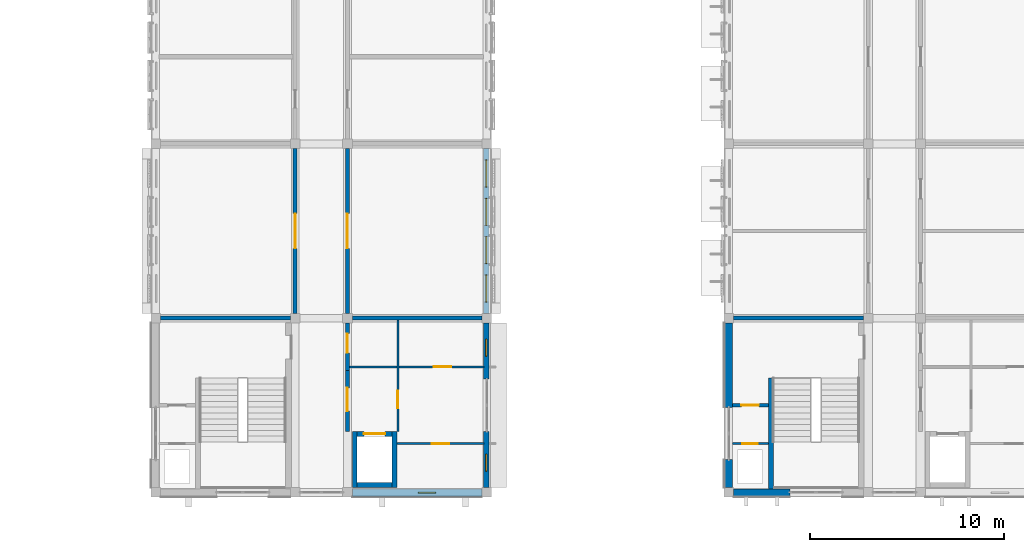
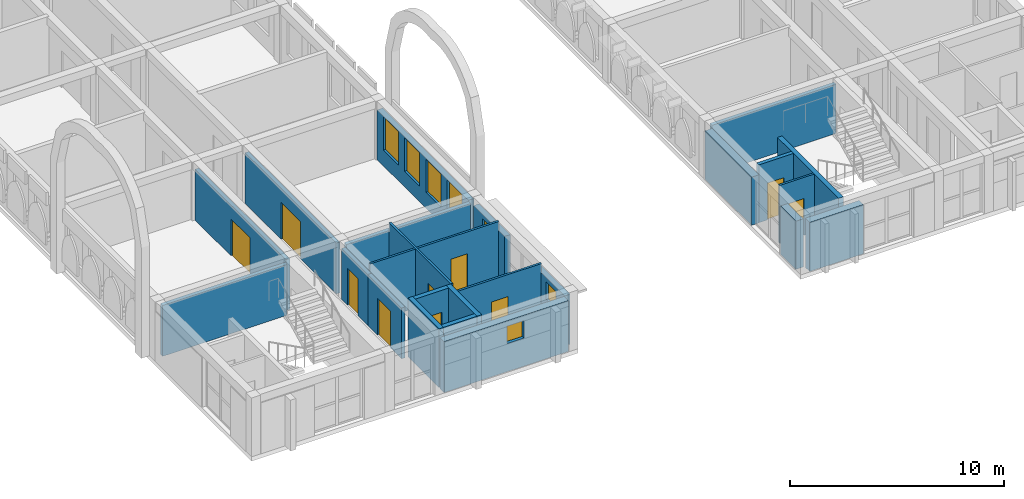
# One storey, part 38 of 65: 24 walls, 10 doors, 7 windows, 17 openings.
"""IFC4 building model written with IfcOpenShell, lengths in metres."""

from ifc_helpers import new_model, si_unit, direction, frame, frame_2d, origin, place, context, subcontext, project, spatial, rectangle, extrude, material, layer, layer_set, type_object, element, fill, save


model = new_model("IFC4")

# Units and contexts
model_context = context("Model", 3, precision=1e-05, world=origin(), true_north=direction((0.0, 1.0)))
body_context = subcontext(model_context, "Body", "Model", "MODEL_VIEW")
ifc_project = project(units=[si_unit("LENGTHUNIT", "METRE"), si_unit("AREAUNIT", "SQUARE_METRE"), si_unit("VOLUMEUNIT", "CUBIC_METRE"), si_unit("PLANEANGLEUNIT", "RADIAN"), si_unit("MASSUNIT", "GRAM", prefix="KILO")], contexts=[model_context])

# Site, building, storey
site_placement = place(None, origin())
site = spatial("IfcSite", under=ifc_project, at=site_placement, CompositionType="ELEMENT")
building_placement = place(site_placement, origin())
building = spatial("IfcBuilding", under=site, at=building_placement, Name="Elbe Cascade School", CompositionType="ELEMENT")
storey_placement = place(building_placement, frame((0.0, 0.0, 11.699951171875)))
storey = spatial("IfcBuildingStorey", under=building, at=storey_placement, Name="L03", CompositionType="ELEMENT", Elevation=11.699951171875)

# Wall, opening, door
ifc_material_1 = material(Name="Masonry - lime-sand block, plastered", Category="masonry")
ifc_layer_1 = layer(ifc_material_1, 0.199951171875)
ifc_layer_set_1 = layer_set([ifc_layer_1], Name="Masonry - lime-sand block, plastered")
wall_type_1 = type_object("IfcWallType", Name="Bar corridor wall lime-sand block 200 EI 30", PredefinedType="PARTITIONING", material=ifc_layer_set_1)
wall_1_placement = place(storey_placement, frame((78.89990234375, 12.300048828125, 0.0), z_axis=(0.0, 0.0, 1.0), x_axis=(0.0, -1.0, 0.0)))
wall_1 = element("IfcWall", 1, at=wall_1_placement, inside=storey, type_object=wall_type_1, Name="Bar corridor wall lime-sand block 200 EI 30", PredefinedType="PARTITIONING", context=body_context, shape_type="SweptSolid", body=[
    extrude(rectangle(XDim=3.150146484375, YDim=0.199951171875, at=frame_2d((1.5751953125, 0.0))), origin(), (0.0, 0.0, 1.0), 2.900146484375),
])
opening_1_placement = place(wall_1_placement, frame((0.89990234375, 0.0, 0.0)))
opening_1 = element("IfcOpeningElement", 2, at=opening_1_placement, cuts=wall_1, Name="Opening D3.005", PredefinedType="OPENING", context=body_context, shape_type="SweptSolid", body=[
    extrude(rectangle(XDim=1.199951171875, YDim=2.10009765625, at=frame_2d((0.60009765625, 1.050048828125))), frame((0.0, 0.10986328125, 0.0), z_axis=(0.0, -1.0, 0.0), x_axis=(1.0, 0.0, 0.0)), (0.0, 0.0, 1.0), 0.219970703125),
])
ifc_material_2 = material(Name="Timber door leaf, fire-resisting and smoke-tight, steel frame", Category="steel")
door_type_1 = type_object("IfcDoorType", Name="Bar door FD30S 1200x2100", OperationType="NOTDEFINED", PredefinedType="DOOR", material=ifc_material_2)
door_1_placement = place(opening_1_placement, origin())
door_1 = element("IfcDoor", 3, at=door_1_placement, inside=storey, type_object=door_type_1, Name="Door A3.06", OperationType="SINGLE_SWING_LEFT", OverallHeight=2.10009765625, OverallWidth=1.199951171875, PredefinedType="DOOR", context=body_context, shape_type="SweptSolid", body=[
    extrude(rectangle(XDim=1.199951171875, YDim=2.10009765625, at=frame_2d((0.60009765625, 1.050048828125))), frame((0.0, 0.02490234375, 0.0), z_axis=(0.0, -1.0, 0.0), x_axis=(1.0, 0.0, 0.0)), (0.0, 0.0, 1.0), 0.050048828125),
])
fill(opening_1, door_1)

wall_2_placement = place(storey_placement, frame((78.89990234375, 12.300048828125, 0.0), z_axis=(0.0, 0.0, 1.0), x_axis=(0.0, 1.0, 0.0)))
wall_2 = element("IfcWall", 4, at=wall_2_placement, inside=storey, type_object=wall_type_1, Name="Bar corridor wall lime-sand block 200 EI 30", PredefinedType="PARTITIONING", context=body_context, shape_type="SweptSolid", body=[
    extrude(rectangle(XDim=2.449951171875, YDim=0.199951171875, at=frame_2d((1.22509765625, 0.0))), origin(), (0.0, 0.0, 1.0), 2.900146484375),
])
opening_2_placement = place(wall_2_placement, frame((0.89990234375, 0.0, 0.0)))
opening_2 = element("IfcOpeningElement", 5, at=opening_2_placement, cuts=wall_2, Name="Opening D3.009", PredefinedType="OPENING", context=body_context, shape_type="SweptSolid", body=[
    extrude(rectangle(XDim=1.0, YDim=2.10009765625, at=frame_2d((0.5, 1.050048828125))), frame((0.0, 0.10986328125, 0.0), z_axis=(0.0, -1.0, 0.0), x_axis=(1.0, 0.0, 0.0)), (0.0, 0.0, 1.0), 0.219970703125),
])
ifc_material_3 = material(Name="Timber door leaf, fire-resisting, steel frame", Category="steel")
door_type_2 = type_object("IfcDoorType", Name="Bar door FD30 1000x2100", OperationType="NOTDEFINED", PredefinedType="DOOR", material=ifc_material_3)
door_2_placement = place(opening_2_placement, origin())
door_2 = element("IfcDoor", 6, at=door_2_placement, inside=storey, type_object=door_type_2, Name="Door A3.10", OperationType="SINGLE_SWING_RIGHT", OverallHeight=2.10009765625, OverallWidth=1.0, PredefinedType="DOOR", context=body_context, shape_type="SweptSolid", body=[
    extrude(rectangle(XDim=1.0, YDim=2.10009765625, at=frame_2d((0.5, 1.050048828125))), frame((0.0, 0.02490234375, 0.0), z_axis=(0.0, -1.0, 0.0), x_axis=(1.0, 0.0, 0.0)), (0.0, 0.0, 1.0), 0.050048828125),
])
fill(opening_2, door_2)

wall_3_placement = place(storey_placement, frame((76.199951171875, 15.25, 0.0), z_axis=(0.0, 0.0, 1.0), x_axis=(0.0, 1.0, 0.0)))
wall_3 = element("IfcWall", 7, at=wall_3_placement, inside=storey, type_object=wall_type_1, Name="Bar corridor wall lime-sand block 200 EI 30", PredefinedType="PARTITIONING", context=body_context, shape_type="SweptSolid", body=[
    extrude(rectangle(XDim=8.5, YDim=0.199951171875, at=frame_2d((4.25, 0.0))), origin(), (0.0, 0.0, 1.0), 2.900146484375),
])
opening_3_placement = place(wall_3_placement, frame((3.35009765625, 0.0, 0.0)))
opening_3 = element("IfcOpeningElement", 8, at=opening_3_placement, cuts=wall_3, Name="Opening D3.010", PredefinedType="OPENING", context=body_context, shape_type="SweptSolid", body=[
    extrude(rectangle(XDim=1.800048828125, YDim=2.10009765625, at=frame_2d((0.89990234375, 1.050048828125))), frame((0.0, 0.10986328125, 0.0), z_axis=(0.0, -1.0, 0.0), x_axis=(1.0, 0.0, 0.0)), (0.0, 0.0, 1.0), 0.219970703125),
])
ifc_material_4 = material(Name="Timber door leaves, fire-resisting, steel frame", Category="steel")
door_type_3 = type_object("IfcDoorType", Name="Bar door FD30 1800x2100", OperationType="NOTDEFINED", PredefinedType="DOOR", material=ifc_material_4)
door_3_placement = place(opening_3_placement, origin())
door_3 = element("IfcDoor", 9, at=door_3_placement, inside=storey, type_object=door_type_3, Name="Door A3.20", OperationType="DOUBLE_DOOR_DOUBLE_SWING", OverallHeight=2.10009765625, OverallWidth=1.800048828125, PredefinedType="DOOR", context=body_context, shape_type="SweptSolid", body=[
    extrude(rectangle(XDim=1.800048828125, YDim=2.10009765625, at=frame_2d((0.89990234375, 1.050048828125))), frame((0.0, 0.02490234375, 0.0), z_axis=(0.0, -1.0, 0.0), x_axis=(1.0, 0.0, 0.0)), (0.0, 0.0, 1.0), 0.050048828125),
])
fill(opening_3, door_3)

wall_4_placement = place(storey_placement, frame((78.89990234375, 23.75, 0.0), z_axis=(0.0, 0.0, 1.0), x_axis=(0.0, -1.0, 0.0)))
wall_4 = element("IfcWall", 10, at=wall_4_placement, inside=storey, type_object=wall_type_1, Name="Bar corridor wall lime-sand block 200 EI 30", PredefinedType="PARTITIONING", context=body_context, shape_type="SweptSolid", body=[
    extrude(rectangle(XDim=8.5, YDim=0.199951171875, at=frame_2d((4.25, 0.0))), origin(), (0.0, 0.0, 1.0), 2.900146484375),
])
opening_4_placement = place(wall_4_placement, frame((3.35009765625, 0.0, 0.0)))
opening_4 = element("IfcOpeningElement", 11, at=opening_4_placement, cuts=wall_4, Name="Opening D3.011", PredefinedType="OPENING", context=body_context, shape_type="SweptSolid", body=[
    extrude(rectangle(XDim=1.800048828125, YDim=2.10009765625, at=frame_2d((0.89990234375, 1.050048828125))), frame((0.0, 0.10986328125, 0.0), z_axis=(0.0, -1.0, 0.0), x_axis=(1.0, 0.0, 0.0)), (0.0, 0.0, 1.0), 0.219970703125),
])
door_4_placement = place(opening_4_placement, origin())
door_4 = element("IfcDoor", 12, at=door_4_placement, inside=storey, type_object=door_type_3, Name="Door A3.25", OperationType="DOUBLE_DOOR_DOUBLE_SWING", OverallHeight=2.10009765625, OverallWidth=1.800048828125, PredefinedType="DOOR", context=body_context, shape_type="SweptSolid", body=[
    extrude(rectangle(XDim=1.800048828125, YDim=2.10009765625, at=frame_2d((0.89990234375, 1.050048828125))), frame((0.0, 0.02490234375, 0.0), z_axis=(0.0, -1.0, 0.0), x_axis=(1.0, 0.0, 0.0)), (0.0, 0.0, 1.0), 0.050048828125),
])
fill(opening_4, door_4)

ifc_material_5 = material(Name="Masonry - lime-sand block, plastered", Category="masonry")
ifc_layer_2 = layer(ifc_material_5, 0.114990234375)
ifc_layer_set_2 = layer_set([ifc_layer_2], Name="Masonry - lime-sand block, plastered")
wall_type_2 = type_object("IfcWallType", Name="Bar light partition wall lime-sand block 115", PredefinedType="PARTITIONING", material=ifc_layer_set_2)
wall_5_placement = place(storey_placement, frame((81.507568359375, 14.89990234375, 0.0), z_axis=(0.0, 0.0, 1.0), x_axis=(0.0, -1.0, 0.0)))
wall_5 = element("IfcWall", 13, at=wall_5_placement, inside=storey, type_object=wall_type_2, Name="Bar light partition wall lime-sand block 115", PredefinedType="PARTITIONING", context=body_context, shape_type="SweptSolid", body=[
    extrude(rectangle(XDim=5.75, YDim=0.114990234375, at=frame_2d((2.875, 0.0))), origin(), (0.0, 0.0, 1.0), 3.35009765625),
])
opening_5_placement = place(wall_5_placement, frame((3.64990234375, 0.0, 0.0)))
opening_5 = element("IfcOpeningElement", 14, at=opening_5_placement, cuts=wall_5, Name="Opening D3.006", PredefinedType="OPENING", context=body_context, shape_type="SweptSolid", body=[
    extrude(rectangle(XDim=0.89990234375, YDim=2.10009765625, at=frame_2d((0.449951171875, 1.050048828125))), frame((0.0, 0.0673828125, 0.0), z_axis=(0.0, -1.0, 0.0), x_axis=(1.0, 0.0, 0.0)), (0.0, 0.0, 1.0), 0.135009765625),
])
ifc_material_6 = material(Name="Timber door leaf, steel frame", Category="steel")
door_type_4 = type_object("IfcDoorType", Name="Bar door 900x2100", OperationType="NOTDEFINED", PredefinedType="DOOR", material=ifc_material_6)
door_5_placement = place(opening_5_placement, origin())
door_5 = element("IfcDoor", 15, at=door_5_placement, inside=storey, type_object=door_type_4, Name="Door A3.07", OperationType="SINGLE_SWING_LEFT", OverallHeight=2.10009765625, OverallWidth=0.89990234375, PredefinedType="DOOR", context=body_context, shape_type="SweptSolid", body=[
    extrude(rectangle(XDim=0.89990234375, YDim=2.10009765625, at=frame_2d((0.449951171875, 1.050048828125))), frame((0.0, 0.02490234375, 0.0), z_axis=(0.0, -1.0, 0.0), x_axis=(1.0, 0.0, 0.0)), (0.0, 0.0, 1.0), 0.050048828125),
])
fill(opening_5, door_5)

wall_6_placement = place(storey_placement, frame((85.949951171875, 8.52001953125, 0.0), z_axis=(0.0, 0.0, 1.0), x_axis=(-1.0, 0.0, 0.0)))
wall_6 = element("IfcWall", 16, at=wall_6_placement, inside=storey, type_object=wall_type_2, Name="Bar light partition wall lime-sand block 115", PredefinedType="PARTITIONING", context=body_context, shape_type="SweptSolid", body=[
    extrude(rectangle(XDim=4.5, YDim=0.114990234375, at=frame_2d((2.25, 0.0))), origin(), (0.0, 0.0, 1.0), 3.35009765625),
])
opening_6_placement = place(wall_6_placement, frame((1.800048828125, 0.0, 0.0)))
opening_6 = element("IfcOpeningElement", 17, at=opening_6_placement, cuts=wall_6, Name="Opening D3.002", PredefinedType="OPENING", context=body_context, shape_type="SweptSolid", body=[
    extrude(rectangle(XDim=0.89990234375, YDim=2.10009765625, at=frame_2d((0.449951171875, 1.050048828125))), frame((0.0, 0.0673828125, 0.0), z_axis=(0.0, -1.0, 0.0), x_axis=(1.0, 0.0, 0.0)), (0.0, 0.0, 1.0), 0.135009765625),
])
door_6_placement = place(opening_6_placement, origin())
door_6 = element("IfcDoor", 18, at=door_6_placement, inside=storey, type_object=door_type_4, Name="Door A3.08", OperationType="SINGLE_SWING_LEFT", OverallHeight=2.10009765625, OverallWidth=0.89990234375, PredefinedType="DOOR", context=body_context, shape_type="SweptSolid", body=[
    extrude(rectangle(XDim=0.89990234375, YDim=2.10009765625, at=frame_2d((0.449951171875, 1.050048828125))), frame((0.0, 0.02490234375, 0.0), z_axis=(0.0, -1.0, 0.0), x_axis=(1.0, 0.0, 0.0)), (0.0, 0.0, 1.0), 0.050048828125),
])
fill(opening_6, door_6)

wall_7_placement = place(storey_placement, frame((79.0, 12.47998046875, 0.0), z_axis=(0.0, 0.0, 1.0), x_axis=(1.0, 0.0, 0.0)))
wall_7 = element("IfcWall", 19, at=wall_7_placement, inside=storey, type_object=wall_type_2, Name="Bar light partition wall lime-sand block 115", PredefinedType="PARTITIONING", context=body_context, shape_type="SweptSolid", body=[
    extrude(rectangle(XDim=6.949951171875, YDim=0.114990234375, at=frame_2d((3.47509765625, 0.0))), origin(), (0.0, 0.0, 1.0), 3.35009765625),
])
opening_7_placement = place(wall_7_placement, frame((4.35009765625, 0.0, 0.0)))
opening_7 = element("IfcOpeningElement", 20, at=opening_7_placement, cuts=wall_7, Name="Opening D3.007", PredefinedType="OPENING", context=body_context, shape_type="SweptSolid", body=[
    extrude(rectangle(XDim=0.89990234375, YDim=2.10009765625, at=frame_2d((0.449951171875, 1.050048828125))), frame((0.0, 0.0673828125, 0.0), z_axis=(0.0, -1.0, 0.0), x_axis=(1.0, 0.0, 0.0)), (0.0, 0.0, 1.0), 0.135009765625),
])
door_7_placement = place(opening_7_placement, origin())
door_7 = element("IfcDoor", 21, at=door_7_placement, inside=storey, type_object=door_type_4, Name="Door A3.09", OperationType="SINGLE_SWING_RIGHT", OverallHeight=2.10009765625, OverallWidth=0.89990234375, PredefinedType="DOOR", context=body_context, shape_type="SweptSolid", body=[
    extrude(rectangle(XDim=0.89990234375, YDim=2.10009765625, at=frame_2d((0.449951171875, 1.050048828125))), frame((0.0, 0.02490234375, 0.0), z_axis=(0.0, -1.0, 0.0), x_axis=(1.0, 0.0, 0.0)), (0.0, 0.0, 1.0), 0.050048828125),
])
fill(opening_7, door_7)

wall_8_placement = place(storey_placement, frame((100.64990234375, 8.52001953125, 0.0), z_axis=(0.0, 0.0, 1.0), x_axis=(-1.0, 0.0, 0.0)))
wall_8 = element("IfcWall", 22, at=wall_8_placement, inside=storey, type_object=wall_type_2, Name="Bar light partition wall lime-sand block 115", PredefinedType="PARTITIONING", context=body_context, shape_type="SweptSolid", body=[
    extrude(rectangle(XDim=1.869873046875, YDim=0.114990234375, at=frame_2d((0.93505859375, 0.0))), origin(), (0.0, 0.0, 1.0), 3.300048828125),
])
opening_8_placement = place(wall_8_placement, frame((0.550048828125, 0.0, 0.0)))
opening_8 = element("IfcOpeningElement", 23, at=opening_8_placement, cuts=wall_8, Name="Opening D3.029", PredefinedType="OPENING", context=body_context, shape_type="SweptSolid", body=[
    extrude(rectangle(XDim=0.800048828125, YDim=2.10009765625, at=frame_2d((0.39990234375, 1.050048828125))), frame((0.0, 0.0673828125, 0.0), z_axis=(0.0, -1.0, 0.0), x_axis=(1.0, 0.0, 0.0)), (0.0, 0.0, 1.0), 0.135009765625),
])
ifc_material_7 = material(Name="Timber door leaf, steel frame", Category="steel")
door_type_5 = type_object("IfcDoorType", Name="Bar door 800x2100", OperationType="NOTDEFINED", PredefinedType="DOOR", material=ifc_material_7)
door_8_placement = place(opening_8_placement, origin())
door_8 = element("IfcDoor", 24, at=door_8_placement, inside=storey, type_object=door_type_5, Name="Door B3.05", OperationType="SINGLE_SWING_LEFT", OverallHeight=2.10009765625, OverallWidth=0.800048828125, PredefinedType="DOOR", context=body_context, shape_type="SweptSolid", body=[
    extrude(rectangle(XDim=0.800048828125, YDim=2.10009765625, at=frame_2d((0.39990234375, 1.050048828125))), frame((0.0, 0.02490234375, 0.0), z_axis=(0.0, -1.0, 0.0), x_axis=(1.0, 0.0, 0.0)), (0.0, 0.0, 1.0), 0.050048828125),
])
fill(opening_8, door_8)

# Walls
ifc_material_8 = material(Name="Masonry - lime-sand block, plastered", Category="masonry")
ifc_layer_3 = layer(ifc_material_8, 0.199951171875)
ifc_layer_set_3 = layer_set([ifc_layer_3], Name="Masonry - lime-sand block, plastered")
wall_type_3 = type_object("IfcWallType", Name="Bar partition wall lime-sand block 200", PredefinedType="PARTITIONING", material=ifc_layer_set_3)
wall_9_placement = place(storey_placement, frame((79.14990234375, 15.0, 0.0), z_axis=(0.0, 0.0, 1.0), x_axis=(1.0, 0.0, 0.0)))
element("IfcWall", 25, at=wall_9_placement, inside=storey, type_object=wall_type_3, Name="Bar partition wall lime-sand block 200", PredefinedType="PARTITIONING", context=body_context, shape_type="SweptSolid", body=[
    extrude(rectangle(XDim=6.7001953125, YDim=0.199951171875, at=frame_2d((3.35009765625, 0.0))), origin(), (0.0, 0.0, 1.0), 2.900146484375),
])
ifc_material_9 = material(Name="Concrete C30/37", Category="concrete")
ifc_layer_4 = layer(ifc_material_9, 0.25)
ifc_layer_set_4 = layer_set([ifc_layer_4], Name="Concrete C30/37")
wall_type_4 = type_object("IfcWallType", Name="Bar stair core wall RC 250", PredefinedType="SOLIDWALL", material=ifc_layer_set_4)
wall_10_placement = place(storey_placement, frame((100.77490234375, 6.179931640625, 0.0), z_axis=(0.0, 0.0, 1.0), x_axis=(0.0, 1.0, 0.0)))
element("IfcWall", 26, at=wall_10_placement, inside=storey, type_object=wall_type_4, Name="Bar stair core wall RC 250", PredefinedType="SOLIDWALL", context=body_context, shape_type="SweptSolid", body=[
    extrude(rectangle(XDim=5.719970703125, YDim=0.25, at=frame_2d((2.85986328125, 0.0))), origin(), (0.0, 0.0, 1.0), 3.300048828125),
])
ifc_material_10 = material(Name="Concrete C30/37", Category="concrete")
ifc_layer_5 = layer(ifc_material_10, 0.199951171875)
ifc_layer_set_5 = layer_set([ifc_layer_5], Name="Concrete C30/37")
wall_type_5 = type_object("IfcWallType", Name="Bar stair lobby wall RC 200", PredefinedType="SOLIDWALL", material=ifc_layer_set_5)
wall_11_placement = place(storey_placement, frame((69.25, 15.0, 0.0), z_axis=(0.0, 0.0, 1.0), x_axis=(1.0, 0.0, 0.0)))
element("IfcWall", 27, at=wall_11_placement, inside=storey, type_object=wall_type_5, Name="Bar stair lobby wall RC 200", PredefinedType="SOLIDWALL", context=body_context, shape_type="SweptSolid", body=[
    extrude(rectangle(XDim=6.699951171875, YDim=0.199951171875, at=frame_2d((3.35009765625, 0.0))), origin(), (0.0, 0.0, 1.0), 2.900146484375),
])

# Wall, opening, door
wall_12_placement = place(storey_placement, frame((100.64990234375, 10.5, 0.0), z_axis=(0.0, 0.0, 1.0), x_axis=(-1.0, 0.0, 0.0)))
wall_12 = element("IfcWall", 28, at=wall_12_placement, inside=storey, type_object=wall_type_5, Name="Bar stair lobby wall RC 200", PredefinedType="SOLIDWALL", context=body_context, shape_type="SweptSolid", body=[
    extrude(rectangle(XDim=1.869873046875, YDim=0.199951171875, at=frame_2d((0.93505859375, 0.0))), origin(), (0.0, 0.0, 1.0), 3.300048828125),
])
opening_9_placement = place(wall_12_placement, frame((0.5, 0.0, 0.0)))
opening_9 = element("IfcOpeningElement", 29, at=opening_9_placement, cuts=wall_12, Name="Opening D3.032", PredefinedType="OPENING", context=body_context, shape_type="SweptSolid", body=[
    extrude(rectangle(XDim=0.89990234375, YDim=2.10009765625, at=frame_2d((0.449951171875, 1.050048828125))), frame((0.0, 0.10986328125, 0.0), z_axis=(0.0, -1.0, 0.0), x_axis=(1.0, 0.0, 0.0)), (0.0, 0.0, 1.0), 0.219970703125),
])
ifc_material_11 = material(Name="Timber door leaf, fire-resisting and smoke-tight, steel frame", Category="steel")
door_type_6 = type_object("IfcDoorType", Name="Bar door FD30S 900x2100", OperationType="NOTDEFINED", PredefinedType="DOOR", material=ifc_material_11)
door_9_placement = place(opening_9_placement, origin())
door_9 = element("IfcDoor", 30, at=door_9_placement, inside=storey, type_object=door_type_6, Name="Door B3.04", OperationType="SINGLE_SWING_RIGHT", OverallHeight=2.10009765625, OverallWidth=0.89990234375, PredefinedType="DOOR", context=body_context, shape_type="SweptSolid", body=[
    extrude(rectangle(XDim=0.89990234375, YDim=2.10009765625, at=frame_2d((0.449951171875, 1.050048828125))), frame((0.0, 0.02490234375, 0.0), z_axis=(0.0, -1.0, 0.0), x_axis=(1.0, 0.0, 0.0)), (0.0, 0.0, 1.0), 0.050048828125),
])
fill(opening_9, door_9)

# Wall
wall_13_placement = place(storey_placement, frame((98.85009765625, 15.0, 0.0), z_axis=(0.0, 0.0, 1.0), x_axis=(1.0, 0.0, 0.0)))
element("IfcWall", 31, at=wall_13_placement, inside=storey, type_object=wall_type_5, Name="Bar stair lobby wall RC 200", PredefinedType="SOLIDWALL", context=body_context, shape_type="SweptSolid", body=[
    extrude(rectangle(XDim=6.699951171875, YDim=0.199951171875, at=frame_2d((3.35009765625, 0.0))), origin(), (0.0, 0.0, 1.0), 2.800048828125),
])

# Wall, opening, window
ifc_material_12 = material(Name="Brick masonry - red clinker, cavity wall with render backing", Category="masonry")
ifc_layer_6 = layer(ifc_material_12, 0.300048828125)
ifc_layer_set_6 = layer_set([ifc_layer_6], Name="Brick masonry - red clinker, cavity wall with render backing")
wall_type_6 = type_object("IfcWallType", Name="Bars envelope External wall - clinker brick cavity, 300 upper floors", PredefinedType="STANDARD", material=ifc_layer_set_6)
wall_14_placement = place(storey_placement, frame((86.070068359375, 9.14990234375, 0.0), z_axis=(0.0, 0.0, 1.0), x_axis=(0.0, -1.0, 0.0)))
wall_14 = element("IfcWall", 32, at=wall_14_placement, inside=storey, type_object=wall_type_6, Name="External wall W30 A.L03.e1a", PredefinedType="STANDARD", context=body_context, shape_type="SweptSolid", body=[
    extrude(rectangle(XDim=2.89990234375, YDim=0.300048828125, at=frame_2d((1.449951171875, 0.0))), origin(), (0.0, 0.0, 1.0), 2.85009765625),
])
opening_10_placement = place(wall_14_placement, frame((1.169921875, 0.0, 1.60009765625)))
opening_10 = element("IfcOpeningElement", 33, at=opening_10_placement, cuts=wall_14, Name="Opening W3.002", PredefinedType="OPENING", context=body_context, shape_type="SweptSolid", body=[
    extrude(rectangle(XDim=0.89990234375, YDim=1.0, at=frame_2d((0.449951171875, 0.5))), frame((0.0, 0.159912109375, 0.0), z_axis=(0.0, -1.0, 0.0), x_axis=(1.0, 0.0, 0.0)), (0.0, 0.0, 1.0), 0.320068359375),
])
ifc_material_13 = material(Name="Aluminium frame with double glazing, bronze anodised", Category="aluminium")
window_type_1 = type_object("IfcWindowType", Name="Bars envelope Window 900 x 1000, WC and service room, high level, aluminium double glazed", PartitioningType="SINGLE_PANEL", PredefinedType="WINDOW", material=ifc_material_13)
window_1_placement = place(opening_10_placement, origin())
window_1 = element("IfcWindow", 34, at=window_1_placement, inside=storey, type_object=window_type_1, Name="Window WN4 A.L03.e1a.1", OverallHeight=1.0, OverallWidth=0.89990234375, PartitioningType="SINGLE_PANEL", PredefinedType="WINDOW", context=body_context, shape_type="SweptSolid", body=[
    extrude(rectangle(XDim=0.89990234375, YDim=1.0, at=frame_2d((0.449951171875, 0.5))), frame((0.0, 0.030029296875, 0.0), z_axis=(0.0, -1.0, 0.0), x_axis=(1.0, 0.0, 0.0)), (0.0, 0.0, 1.0), 0.06005859375),
])
fill(opening_10, window_1)

wall_15_placement = place(storey_placement, frame((86.070068359375, 14.75, 0.0), z_axis=(0.0, 0.0, 1.0), x_axis=(0.0, -1.0, 0.0)))
wall_15 = element("IfcWall", 35, at=wall_15_placement, inside=storey, type_object=wall_type_6, Name="External wall W30 A.L03.e1b", PredefinedType="STANDARD", context=body_context, shape_type="SweptSolid", body=[
    extrude(rectangle(XDim=2.89990234375, YDim=0.300048828125, at=frame_2d((1.449951171875, 0.0))), origin(), (0.0, 0.0, 1.0), 2.85009765625),
])
opening_11_placement = place(wall_15_placement, frame((0.830078125, 0.0, 1.60009765625)))
opening_11 = element("IfcOpeningElement", 36, at=opening_11_placement, cuts=wall_15, Name="Opening W3.003", PredefinedType="OPENING", context=body_context, shape_type="SweptSolid", body=[
    extrude(rectangle(XDim=0.89990234375, YDim=1.0, at=frame_2d((0.449951171875, 0.5))), frame((0.0, 0.159912109375, 0.0), z_axis=(0.0, -1.0, 0.0), x_axis=(1.0, 0.0, 0.0)), (0.0, 0.0, 1.0), 0.320068359375),
])
window_2_placement = place(opening_11_placement, origin())
window_2 = element("IfcWindow", 37, at=window_2_placement, inside=storey, type_object=window_type_1, Name="Window WN4 A.L03.e1b.1", OverallHeight=1.0, OverallWidth=0.89990234375, PartitioningType="SINGLE_PANEL", PredefinedType="WINDOW", context=body_context, shape_type="SweptSolid", body=[
    extrude(rectangle(XDim=0.89990234375, YDim=1.0, at=frame_2d((0.449951171875, 0.5))), frame((0.0, 0.030029296875, 0.0), z_axis=(0.0, -1.0, 0.0), x_axis=(1.0, 0.0, 0.0)), (0.0, 0.0, 1.0), 0.06005859375),
])
fill(opening_11, window_2)

# Wall, openings, windows
wall_16_placement = place(storey_placement, frame((86.070068359375, 23.75, 0.0), z_axis=(0.0, 0.0, 1.0), x_axis=(0.0, -1.0, 0.0)))
wall_16 = element("IfcWall", 38, at=wall_16_placement, inside=storey, type_object=wall_type_6, Name="External wall W30 A.L03.e2", PredefinedType="STANDARD", context=body_context, shape_type="SweptSolid", body=[
    extrude(rectangle(XDim=8.5, YDim=0.300048828125, at=frame_2d((4.25, 0.0))), origin(), (0.0, 0.0, 1.0), 2.85009765625),
])
opening_12_placement = place(wall_16_placement, frame((6.52001953125, 0.0, 0.89990234375)))
opening_12 = element("IfcOpeningElement", 39, at=opening_12_placement, cuts=wall_16, Name="Opening W3.005", PredefinedType="OPENING", context=body_context, shape_type="SweptSolid", body=[
    extrude(rectangle(XDim=1.39990234375, YDim=1.89990234375, at=frame_2d((0.699951171875, 0.949951171875))), frame((0.0, 0.159912109375, 0.0), z_axis=(0.0, -1.0, 0.0), x_axis=(1.0, 0.0, 0.0)), (0.0, 0.0, 1.0), 0.320068359375),
])
opening_13_placement = place(wall_16_placement, frame((4.5400390625, 0.0, 0.89990234375)))
opening_13 = element("IfcOpeningElement", 40, at=opening_13_placement, cuts=wall_16, Name="Opening W3.007", PredefinedType="OPENING", context=body_context, shape_type="SweptSolid", body=[
    extrude(rectangle(XDim=1.39990234375, YDim=1.89990234375, at=frame_2d((0.699951171875, 0.949951171875))), frame((0.0, 0.159912109375, 0.0), z_axis=(0.0, -1.0, 0.0), x_axis=(1.0, 0.0, 0.0)), (0.0, 0.0, 1.0), 0.320068359375),
])
opening_14_placement = place(wall_16_placement, frame((2.56005859375, 0.0, 0.89990234375)))
opening_14 = element("IfcOpeningElement", 41, at=opening_14_placement, cuts=wall_16, Name="Opening W3.009", PredefinedType="OPENING", context=body_context, shape_type="SweptSolid", body=[
    extrude(rectangle(XDim=1.39990234375, YDim=1.89990234375, at=frame_2d((0.699951171875, 0.949951171875))), frame((0.0, 0.159912109375, 0.0), z_axis=(0.0, -1.0, 0.0), x_axis=(1.0, 0.0, 0.0)), (0.0, 0.0, 1.0), 0.320068359375),
])
opening_15_placement = place(wall_16_placement, frame((0.580078125, 0.0, 0.89990234375)))
opening_15 = element("IfcOpeningElement", 42, at=opening_15_placement, cuts=wall_16, Name="Opening W3.011", PredefinedType="OPENING", context=body_context, shape_type="SweptSolid", body=[
    extrude(rectangle(XDim=1.39990234375, YDim=1.89990234375, at=frame_2d((0.699951171875, 0.949951171875))), frame((0.0, 0.159912109375, 0.0), z_axis=(0.0, -1.0, 0.0), x_axis=(1.0, 0.0, 0.0)), (0.0, 0.0, 1.0), 0.320068359375),
])
ifc_material_14 = material(Name="Aluminium frame with double glazing, bronze anodised", Category="aluminium")
window_type_2 = type_object("IfcWindowType", Name="Bars envelope Window 1400 x 1900, laboratory and office, bench height sill, aluminium double glazed", PartitioningType="DOUBLE_PANEL_VERTICAL", PredefinedType="WINDOW", material=ifc_material_14)
window_3_placement = place(opening_12_placement, origin())
window_3 = element("IfcWindow", 43, at=window_3_placement, inside=storey, type_object=window_type_2, Name="Window WN6 A.L03.e2.1", OverallHeight=1.89990234375, OverallWidth=1.39990234375, PartitioningType="DOUBLE_PANEL_VERTICAL", PredefinedType="WINDOW", context=body_context, shape_type="SweptSolid", body=[
    extrude(rectangle(XDim=1.39990234375, YDim=1.89990234375, at=frame_2d((0.699951171875, 0.949951171875))), frame((0.0, 0.030029296875, 0.0), z_axis=(0.0, -1.0, 0.0), x_axis=(1.0, 0.0, 0.0)), (0.0, 0.0, 1.0), 0.06005859375),
])
fill(opening_12, window_3)
window_4_placement = place(opening_13_placement, origin())
window_4 = element("IfcWindow", 44, at=window_4_placement, inside=storey, type_object=window_type_2, Name="Window WN6 A.L03.e2.2", OverallHeight=1.89990234375, OverallWidth=1.39990234375, PartitioningType="DOUBLE_PANEL_VERTICAL", PredefinedType="WINDOW", context=body_context, shape_type="SweptSolid", body=[
    extrude(rectangle(XDim=1.39990234375, YDim=1.89990234375, at=frame_2d((0.699951171875, 0.949951171875))), frame((0.0, 0.030029296875, 0.0), z_axis=(0.0, -1.0, 0.0), x_axis=(1.0, 0.0, 0.0)), (0.0, 0.0, 1.0), 0.06005859375),
])
fill(opening_13, window_4)
window_5_placement = place(opening_14_placement, origin())
window_5 = element("IfcWindow", 45, at=window_5_placement, inside=storey, type_object=window_type_2, Name="Window WN6 A.L03.e2.3", OverallHeight=1.89990234375, OverallWidth=1.39990234375, PartitioningType="DOUBLE_PANEL_VERTICAL", PredefinedType="WINDOW", context=body_context, shape_type="SweptSolid", body=[
    extrude(rectangle(XDim=1.39990234375, YDim=1.89990234375, at=frame_2d((0.699951171875, 0.949951171875))), frame((0.0, 0.030029296875, 0.0), z_axis=(0.0, -1.0, 0.0), x_axis=(1.0, 0.0, 0.0)), (0.0, 0.0, 1.0), 0.06005859375),
])
fill(opening_14, window_5)
window_6_placement = place(opening_15_placement, origin())
window_6 = element("IfcWindow", 46, at=window_6_placement, inside=storey, type_object=window_type_2, Name="Window WN6 A.L03.e2.4", OverallHeight=1.89990234375, OverallWidth=1.39990234375, PartitioningType="DOUBLE_PANEL_VERTICAL", PredefinedType="WINDOW", context=body_context, shape_type="SweptSolid", body=[
    extrude(rectangle(XDim=1.39990234375, YDim=1.89990234375, at=frame_2d((0.699951171875, 0.949951171875))), frame((0.0, 0.030029296875, 0.0), z_axis=(0.0, -1.0, 0.0), x_axis=(1.0, 0.0, 0.0)), (0.0, 0.0, 1.0), 0.06005859375),
])
fill(opening_15, window_6)

# Wall, opening, window
ifc_material_15 = material(Name="Brick masonry - red clinker, solid, sandstone-faced", Category="masonry")
ifc_layer_7 = layer(ifc_material_15, 0.39990234375)
ifc_layer_set_7 = layer_set([ifc_layer_7], Name="Brick masonry - red clinker, solid, sandstone-faced")
wall_type_7 = type_object("IfcWallType", Name="Bars envelope External wall - solid masonry core strip, sandstone faced, 400", PredefinedType="STANDARD", material=ifc_layer_set_7)
wall_17_placement = place(storey_placement, frame((85.85009765625, 5.97998046875, 0.0), z_axis=(0.0, 0.0, 1.0), x_axis=(-1.0, 0.0, 0.0)))
wall_17 = element("IfcWall", 47, at=wall_17_placement, inside=storey, type_object=wall_type_7, Name="External wall W31 A.L03.s3", PredefinedType="STANDARD", context=body_context, shape_type="SweptSolid", body=[
    extrude(rectangle(XDim=6.7001953125, YDim=0.39990234375, at=frame_2d((3.35009765625, 0.0))), origin(), (0.0, 0.0, 1.0), 2.900146484375),
])
opening_16_placement = place(wall_17_placement, frame((2.39990234375, 0.0, 1.60009765625)))
opening_16 = element("IfcOpeningElement", 48, at=opening_16_placement, cuts=wall_17, Name="Opening W3.001", PredefinedType="OPENING", context=body_context, shape_type="SweptSolid", body=[
    extrude(rectangle(XDim=0.89990234375, YDim=1.0, at=frame_2d((0.449951171875, 0.5))), frame((0.0, 0.2099609375, 0.0), z_axis=(0.0, -1.0, 0.0), x_axis=(1.0, 0.0, 0.0)), (0.0, 0.0, 1.0), 0.419921875),
])
window_7_placement = place(opening_16_placement, origin())
window_7 = element("IfcWindow", 49, at=window_7_placement, inside=storey, type_object=window_type_1, Name="Window WN4 A.L03.s3.1", OverallHeight=1.0, OverallWidth=0.89990234375, PartitioningType="SINGLE_PANEL", PredefinedType="WINDOW", context=body_context, shape_type="SweptSolid", body=[
    extrude(rectangle(XDim=0.89990234375, YDim=1.0, at=frame_2d((0.449951171875, 0.5))), frame((0.0, 0.030029296875, 0.0), z_axis=(0.0, -1.0, 0.0), x_axis=(1.0, 0.0, 0.0)), (0.0, 0.0, 1.0), 0.06005859375),
])
fill(opening_16, window_7)

# Walls
wall_18_placement = place(storey_placement, frame((98.580078125, 6.25, 0.0), z_axis=(0.0, 0.0, 1.0), x_axis=(0.0, 1.0, 0.0)))
element("IfcWall", 50, at=wall_18_placement, inside=storey, type_object=wall_type_7, Name="External wall W31 B.L03.w1a", PredefinedType="STANDARD", context=body_context, shape_type="SweptSolid", body=[
    extrude(rectangle(XDim=1.43994140625, YDim=0.39990234375, at=frame_2d((0.719970703125, 0.0))), origin(), (0.0, 0.0, 1.0), 2.75),
])
wall_19_placement = place(storey_placement, frame((98.580078125, 10.389892578125, 0.0), z_axis=(0.0, 0.0, 1.0), x_axis=(0.0, 1.0, 0.0)))
element("IfcWall", 51, at=wall_19_placement, inside=storey, type_object=wall_type_7, Name="External wall W31 B.L03.w1b", PredefinedType="STANDARD", context=body_context, shape_type="SweptSolid", body=[
    extrude(rectangle(XDim=4.360107421875, YDim=0.39990234375, at=frame_2d((2.18017578125, 0.0))), origin(), (0.0, 0.0, 1.0), 2.75),
])
wall_20_placement = place(storey_placement, frame((101.75, 5.97998046875, 0.0), z_axis=(0.0, 0.0, 1.0), x_axis=(-1.0, 0.0, 0.0)))
element("IfcWall", 52, at=wall_20_placement, inside=storey, type_object=wall_type_7, Name="External wall W31 B.L03.s1a", PredefinedType="STANDARD", context=body_context, shape_type="SweptSolid", body=[
    extrude(rectangle(XDim=2.89990234375, YDim=0.39990234375, at=frame_2d((1.449951171875, 0.0))), origin(), (0.0, 0.0, 1.0), 2.800048828125),
])
ifc_material_16 = material(Name="Concrete C30/37", Category="concrete")
ifc_layer_8 = layer(ifc_material_16, 0.25)
ifc_layer_set_8 = layer_set([ifc_layer_8], Name="Concrete C30/37")
wall_type_8 = type_object("IfcWallType", Name="Shaft wall 250", PredefinedType="SHEAR", material=ifc_layer_set_8)
for number, where, z_axis, x_axis, name in (
    (53, (79.27490234375, 6.25, 0.0), (0.0, 0.0, 1.0), (0.0, 1.0, 0.0), "Shaft wall 250 W1"),
    (54, (81.324951171875, 6.25, 0.0), (0.0, 0.0, 1.0), (0.0, 1.0, 0.0), "Shaft wall 250 W1"),
):
    element("IfcWall", number, at=place(storey_placement, frame(where, z_axis=z_axis, x_axis=x_axis)), inside=storey, type_object=wall_type_8, Name=name, PredefinedType="SHEAR", context=body_context, shape_type="SweptSolid", body=[
        extrude(rectangle(XDim=2.89990234375, YDim=0.25, at=frame_2d((1.449951171875, 0.0))), origin(), (0.0, 0.0, 1.0), 3.35009765625),
    ])
wall_21_placement = place(storey_placement, frame((79.39990234375, 6.375, 0.0), z_axis=(0.0, 0.0, 1.0), x_axis=(1.0, 0.0, 0.0)))
element("IfcWall", 55, at=wall_21_placement, inside=storey, type_object=wall_type_8, Name="Shaft wall 250 W1", PredefinedType="SHEAR", context=body_context, shape_type="SweptSolid", body=[
    extrude(rectangle(XDim=1.800048828125, YDim=0.25, at=frame_2d((0.89990234375, 0.0))), origin(), (0.0, 0.0, 1.0), 3.35009765625),
])

# Wall, opening, door
wall_22_placement = place(storey_placement, frame((79.39990234375, 9.02490234375, 0.0), z_axis=(0.0, 0.0, 1.0), x_axis=(1.0, 0.0, 0.0)))
wall_22 = element("IfcWall", 56, at=wall_22_placement, inside=storey, type_object=wall_type_8, Name="Shaft wall 250 W1", PredefinedType="SHEAR", context=body_context, shape_type="SweptSolid", body=[
    extrude(rectangle(XDim=1.800048828125, YDim=0.25, at=frame_2d((0.89990234375, 0.0))), origin(), (0.0, 0.0, 1.0), 3.35009765625),
])
opening_17_placement = place(wall_22_placement, frame((0.35009765625, 0.0, 0.0)))
opening_17 = element("IfcOpeningElement", 57, at=opening_17_placement, cuts=wall_22, Name="Opening D3.003", PredefinedType="OPENING", context=body_context, shape_type="SweptSolid", body=[
    extrude(rectangle(XDim=1.10009765625, YDim=2.10009765625, at=frame_2d((0.550048828125, 1.050048828125))), frame((0.0, 0.135009765625, 0.0), z_axis=(0.0, -1.0, 0.0), x_axis=(1.0, 0.0, 0.0)), (0.0, 0.0, 1.0), 0.27001953125),
])
ifc_material_17 = material(Name="Stainless steel sliding door leaf", Category="steel")
door_type_7 = type_object("IfcDoorType", Name="Bar lift landing door 1100x2100", OperationType="SLIDING_TO_LEFT", PredefinedType="DOOR", material=ifc_material_17)
door_10_placement = place(opening_17_placement, origin())
door_10 = element("IfcDoor", 58, at=door_10_placement, inside=storey, type_object=door_type_7, Name="Lift landing door LDA3.1", OperationType="SLIDING_TO_LEFT", OverallHeight=2.10009765625, OverallWidth=1.10009765625, PredefinedType="DOOR", context=body_context, shape_type="SweptSolid", body=[
    extrude(rectangle(XDim=1.10009765625, YDim=2.10009765625, at=frame_2d((0.550048828125, 1.050048828125))), frame((0.0, 0.02490234375, 0.0), z_axis=(0.0, -1.0, 0.0), x_axis=(1.0, 0.0, 0.0)), (0.0, 0.0, 1.0), 0.050048828125),
])
fill(opening_17, door_10)

save(model, "model.ifc")
